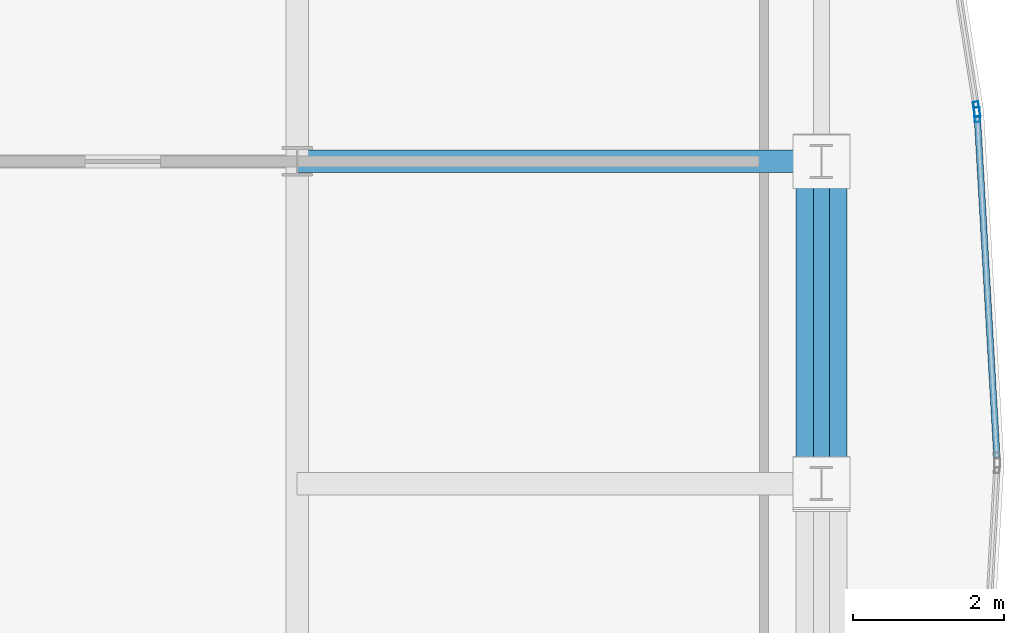
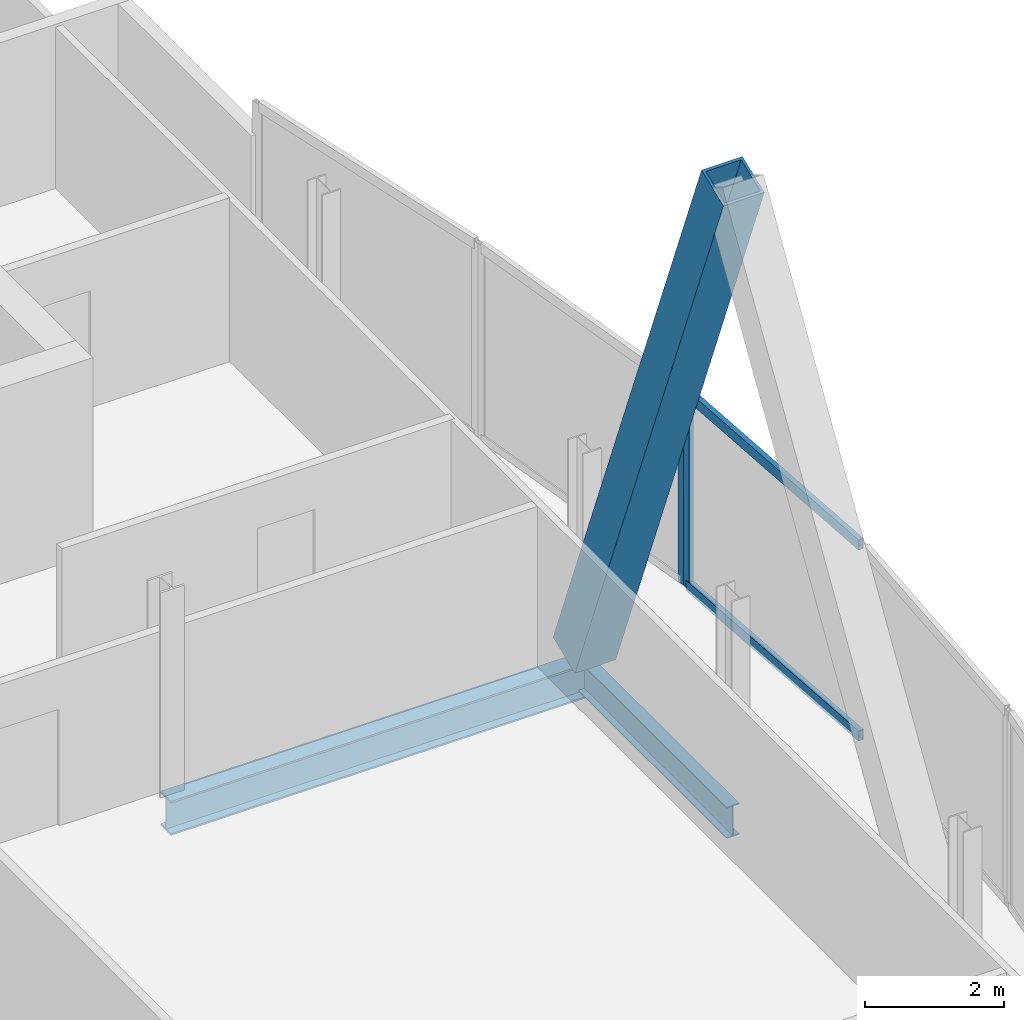
# One storey, part 18 of 29: 5 members, 2 beams, 2 elements without a shape of their own.
"""IFC4 building model written with IfcOpenShell, lengths in metres."""

from ifc_helpers import new_model, si_unit, direction, frame, origin, origin_2d, place, context, subcontext, project, spatial, hollow_rectangle, i_section, extrude, material, material_profile, profile_set, type_object, element, aggregate, save


model = new_model("IFC4")

# Units and contexts
model_context = context("Model", 3, precision=1e-05, world=origin(), true_north=direction((0.0, 1.0)))
body_context = subcontext(model_context, "Body", "Model", "MODEL_VIEW")
ifc_project = project(units=[si_unit("LENGTHUNIT", "METRE"), si_unit("AREAUNIT", "SQUARE_METRE"), si_unit("VOLUMEUNIT", "CUBIC_METRE"), si_unit("PLANEANGLEUNIT", "RADIAN"), si_unit("MASSUNIT", "GRAM", prefix="KILO")], contexts=[model_context])

# Site, building, storey
site_placement = place(None, origin())
site = spatial("IfcSite", under=ifc_project, at=site_placement, CompositionType="ELEMENT")
building_placement = place(site_placement, origin())
building = spatial("IfcBuilding", under=site, at=building_placement, Name="Khoronbel Lancet Exchange", CompositionType="ELEMENT")
storey_placement = place(building_placement, frame((0.0, 0.0, 314.60009765625)))
storey = spatial("IfcBuildingStorey", under=building, at=storey_placement, Name="L81", CompositionType="ELEMENT", Elevation=314.60009765625)

# Beams
ifc_material_1 = material(Name="Steel S355", Category="steel")
ifc_material_profile_1 = material_profile(ifc_material_1, i_section(OverallWidth=0.300048828125, OverallDepth=0.60009765625, WebThickness=0.015380859375, FlangeThickness=0.030029296875, at=origin_2d()), Name="HEB 600")
ifc_profile_set_1 = profile_set([ifc_material_profile_1], Name="Steel S355")
beam_type_1 = type_object("IfcBeamType", Name="BM-BG5", PredefinedType="BEAM", material=ifc_profile_set_1)
beam_1_placement = place(storey_placement, frame((54.675048828125, 35.699951171875, -0.460205078125), z_axis=(1.0, 0.0, 0.0), x_axis=(0.0, 1.0, 0.0)))
element("IfcBeam", 1, at=beam_1_placement, inside=storey, type_object=beam_type_1, Name="Level L81 east lens tie girder LG4E", PredefinedType="BEAM", context=body_context, shape_type="SweptSolid", body=[
    extrude(i_section(OverallWidth=0.300048828125, OverallDepth=0.60009765625, WebThickness=0.015380859375, FlangeThickness=0.030029296875, at=origin_2d()), origin(), (0.0, 0.0, 1.0), 6.954833984375),
])
ifc_material_profile_2 = material_profile(ifc_material_1, i_section(OverallWidth=0.2099609375, OverallDepth=0.550048828125, WebThickness=0.010986328125, FlangeThickness=0.01708984375, at=origin_2d()), Name="IPE 550")
ifc_profile_set_2 = profile_set([ifc_material_profile_2], Name="Steel S355")
beam_type_2 = type_object("IfcBeamType", Name="BM-BSP3", PredefinedType="SPANDREL", material=ifc_profile_set_2)
beam_2_placement = place(storey_placement, frame((61.6298828125, 31.425048828125, -0.43505859375), z_axis=(0.0, 1.0, 0.0), x_axis=(-1.0, 0.0, 0.0)))
element("IfcBeam", 2, at=beam_2_placement, inside=storey, type_object=beam_type_2, Name="Level L81 perimeter spandrel beam SP10", PredefinedType="SPANDREL", context=body_context, shape_type="SweptSolid", body=[
    extrude(i_section(OverallWidth=0.2099609375, OverallDepth=0.550048828125, WebThickness=0.010986328125, FlangeThickness=0.01708984375, at=origin_2d()), origin(), (0.0, 0.0, 1.0), 4.27490234375),
])

# Curtain wall, member
ifc_material_2 = material(Name="Low-E Solar Control Insulating Glass", Category="glass")
curtain_wall_type = type_object("IfcCurtainWallType", Name="CW-4", PredefinedType="NOTDEFINED", material=ifc_material_2)
curtain_wall_1_placement = place(storey_placement, origin())
curtain_wall_1 = element("IfcCurtainWall", 3, at=curtain_wall_1_placement, inside=storey, type_object=curtain_wall_type, Name="Unitised curtain wall CW-L81-E18", PredefinedType="NOTDEFINED")
ifc_material_3 = material(Name="Bronze-Anodised Aluminium 6063-T6", Category="aluminium")
ifc_material_profile_3 = material_profile(ifc_material_3, hollow_rectangle(XDim=0.074951171875, YDim=0.199951171875, WallThickness=0.0048828125, at=origin_2d()), Name="ALU MULLION 75x200")
ifc_profile_set_3 = profile_set([ifc_material_profile_3], Name="Bronze-Anodised Aluminium 6063-T6")
member_type_1 = type_object("IfcMemberType", Name="MEM-CWM2", PredefinedType="MULLION", material=ifc_profile_set_3)
member_1_placement = place(storey_placement, frame((63.68896484375, 36.39404296875, 0.0), z_axis=(0.0, 0.0, 1.0), x_axis=(0.987888641158, 0.155164534193, 0.0)))
member_1 = element("IfcMember", 4, at=member_1_placement, type_object=member_type_1, Name="CW4 mullion 2", PredefinedType="MULLION", context=body_context, shape_type="SweptSolid", body=[
    extrude(hollow_rectangle(XDim=0.074951171875, YDim=0.199951171875, WallThickness=0.0048828125, at=origin_2d()), origin(), (0.0, 0.0, 1.0), 3.43994140625),
])
aggregate(curtain_wall_1, [member_1])

# Curtain wall, members
curtain_wall_2_placement = place(storey_placement, origin())
curtain_wall_2 = element("IfcCurtainWall", 5, at=curtain_wall_2_placement, inside=storey, type_object=curtain_wall_type, Name="Unitised curtain wall CW-L81-E19", PredefinedType="NOTDEFINED")
member_2_placement = place(storey_placement, frame((63.69677734375, 36.319580078125, 0.0), z_axis=(0.0, 0.0, 1.0), x_axis=(0.998350757179, 0.057408759259, 0.0)))
member_2 = element("IfcMember", 6, at=member_2_placement, type_object=member_type_1, Name="CW4 mullion 1", PredefinedType="MULLION", context=body_context, shape_type="SweptSolid", body=[
    extrude(hollow_rectangle(XDim=0.074951171875, YDim=0.199951171875, WallThickness=0.0048828125, at=origin_2d()), origin(), (0.0, 0.0, 1.0), 3.43994140625),
])
ifc_material_profile_4 = material_profile(ifc_material_3, hollow_rectangle(XDim=0.0849609375, YDim=0.179931640625, WallThickness=0.0048828125, at=origin_2d()), Name="ALU TRANSOM 85x180")
ifc_profile_set_4 = profile_set([ifc_material_profile_4], Name="Bronze-Anodised Aluminium 6063-T6")
member_type_2 = type_object("IfcMemberType", Name="MEM-CWT1", PredefinedType="USERDEFINED", material=ifc_profile_set_4)
member_3_placement = place(storey_placement, frame((63.698974609375, 36.2822265625, 0.04248046875), z_axis=(0.057428625863, -0.99834961458, 0.0), x_axis=(0.99834961458, 0.057428625863, 0.0)))
member_3 = element("IfcMember", 7, at=member_3_placement, type_object=member_type_2, Name="CW4 transom 1.1", ObjectType="TRANSOM", PredefinedType="USERDEFINED", context=body_context, shape_type="SweptSolid", body=[
    extrude(hollow_rectangle(XDim=0.0849609375, YDim=0.179931640625, WallThickness=0.0048828125, at=origin_2d()), origin(), (0.0, 0.0, 1.0), 4.514892578125),
])
member_4_placement = place(storey_placement, frame((63.698974609375, 36.2822265625, 3.3974609375), z_axis=(0.057428625863, -0.99834961458, 0.0), x_axis=(0.99834961458, 0.057428625863, 0.0)))
member_4 = element("IfcMember", 8, at=member_4_placement, type_object=member_type_2, Name="CW4 transom 1.2", ObjectType="TRANSOM", PredefinedType="USERDEFINED", context=body_context, shape_type="SweptSolid", body=[
    extrude(hollow_rectangle(XDim=0.0849609375, YDim=0.179931640625, WallThickness=0.0048828125, at=origin_2d()), origin(), (0.0, 0.0, 1.0), 4.514892578125),
])
aggregate(curtain_wall_2, [member_2, member_3, member_4])

# Member
ifc_material_4 = material(Name="Steel S460", Category="steel")
ifc_material_profile_5 = material_profile(ifc_material_4, hollow_rectangle(XDim=0.679931640625, YDim=0.679931640625, WallThickness=0.044921875, at=origin_2d()), Name="BOX 680x680x45")
ifc_profile_set_5 = profile_set([ifc_material_profile_5], Name="Steel S460")
member_type_3 = type_object("IfcMemberType", Name="MEM-MB3", PredefinedType="BRACE", material=ifc_profile_set_5)
member_5_placement = place(storey_placement, frame((61.6298828125, 35.699951171875, 0.0), z_axis=(0.0, -0.368046936675, 0.929807212493), x_axis=(1.0, 0.0, 0.0)))
element("IfcMember", 9, at=member_5_placement, inside=storey, type_object=member_type_3, Name="Perimeter lancet brace tier 28 E-P-R", PredefinedType="BRACE", context=body_context, shape_type="SweptSolid", body=[
    extrude(hollow_rectangle(XDim=0.679931640625, YDim=0.679931640625, WallThickness=0.044921875, at=origin_2d()), origin(), (0.0, 0.0, 1.0), 11.614990234375),
])

save(model, "model.ifc")
